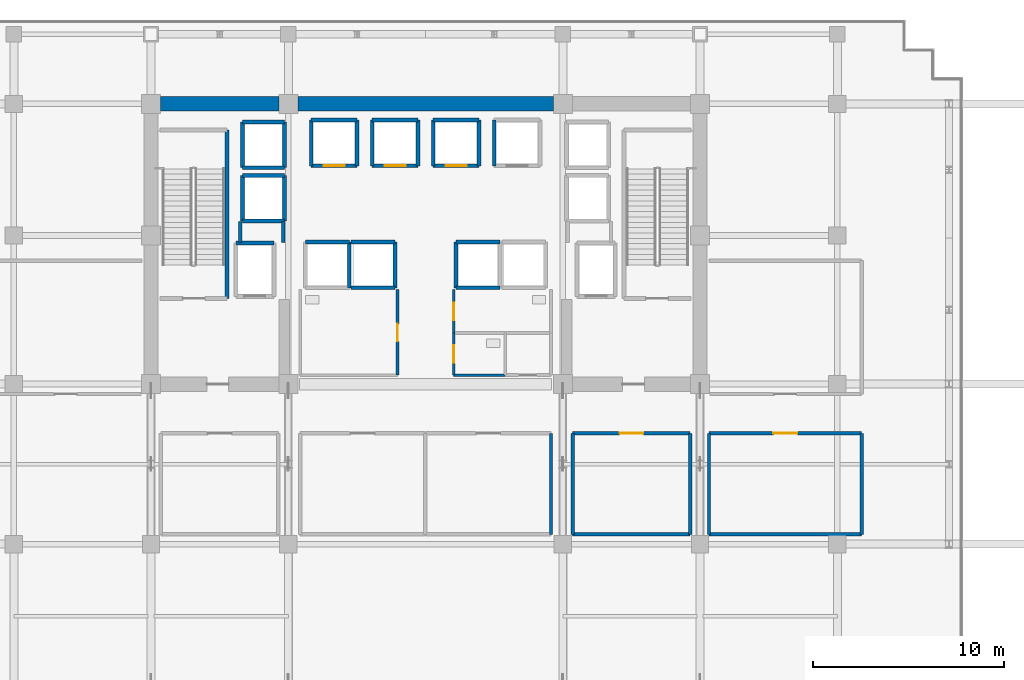
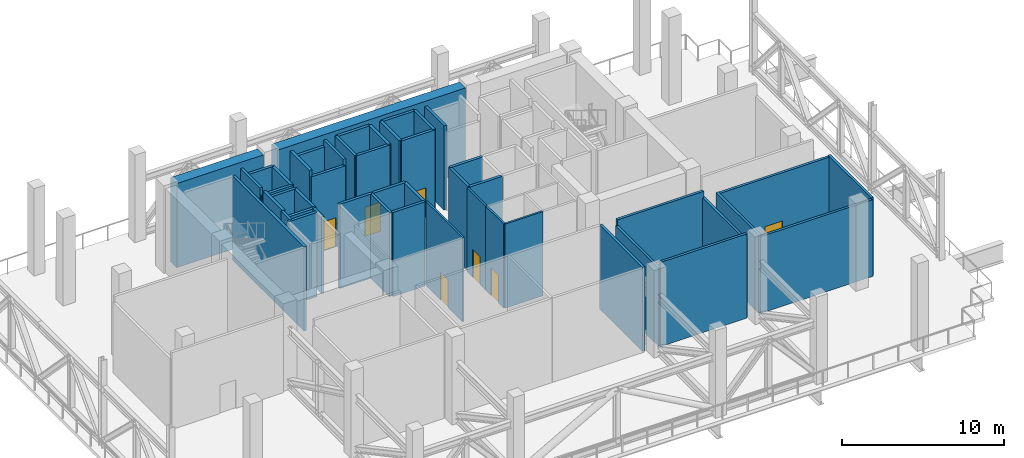
# One storey, part 8 of 15: 48 walls, 8 doors, 8 openings.
"""IFC4 building model written with IfcOpenShell, lengths in metres."""

from ifc_helpers import new_model, si_unit, direction, frame, frame_2d, origin, place, context, subcontext, project, spatial, rectangle, extrude, source, transform, mapped, material, layer, layer_set, type_object, element, fill, save


model = new_model("IFC4")

# Units and contexts
model_context = context("Model", 3, precision=1e-05, world=origin(), true_north=direction((0.0, 1.0)))
body_context = subcontext(model_context, "Body", "Model", "MODEL_VIEW")
ifc_project = project(units=[si_unit("LENGTHUNIT", "METRE"), si_unit("AREAUNIT", "SQUARE_METRE"), si_unit("VOLUMEUNIT", "CUBIC_METRE"), si_unit("PLANEANGLEUNIT", "RADIAN"), si_unit("MASSUNIT", "GRAM", prefix="KILO")], contexts=[model_context])

# Site, building, storey
site_placement = place(None, origin())
site = spatial("IfcSite", under=ifc_project, at=site_placement, CompositionType="ELEMENT")
building_placement = place(site_placement, origin())
building = spatial("IfcBuilding", under=site, at=building_placement, Name="Zarnakvel Exchange Tower", CompositionType="ELEMENT")
storey_placement = place(building_placement, frame((0.0, 0.0, 80.199951171875)))
storey = spatial("IfcBuildingStorey", under=building, at=storey_placement, Name="L22", CompositionType="ELEMENT", Elevation=80.199951171875)

# Walls
ifc_material_1 = material(Name="Concrete C60/75", Category="concrete")
ifc_layer_1 = layer(ifc_material_1, 0.75)
ifc_layer_set_1 = layer_set([ifc_layer_1], Name="Concrete C60/75")
wall_type_1 = type_object("IfcWallType", Name="CW-C3", PredefinedType="SHEAR", material=ifc_layer_set_1)
wall_1_placement = place(storey_placement, frame((-13.89990234375, 13.5, 0.0), z_axis=(0.0, 0.0, 1.0), x_axis=(1.0, 0.0, 0.0)))
element("IfcWall", 1, at=wall_1_placement, inside=storey, type_object=wall_type_1, Name="L22 Rear Core Shear Wall N1 (CW-C3)", PredefinedType="SHEAR", context=body_context, shape_type="SweptSolid", body=[
    extrude(rectangle(XDim=6.199951171875, YDim=0.75, at=frame_2d((3.10009765625, 0.0))), origin(), (0.0, 0.0, 1.0), 6.35009765625),
])
wall_2_placement = place(storey_placement, frame((-6.699951171875, 13.5, 0.0), z_axis=(0.0, 0.0, 1.0), x_axis=(1.0, 0.0, 0.0)))
element("IfcWall", 2, at=wall_2_placement, inside=storey, type_object=wall_type_1, Name="L22 Rear Core Shear Wall N2 (CW-C3)", PredefinedType="SHEAR", context=body_context, shape_type="SweptSolid", body=[
    extrude(rectangle(XDim=13.39990234375, YDim=0.75, at=frame_2d((6.699951171875, 0.0))), origin(), (0.0, 0.0, 1.0), 6.35009765625),
])
ifc_material_2 = material(Name="Fire-Rated Gypsum Stud Partition", Category="gypsum")
ifc_layer_2 = layer(ifc_material_2, 0.179931640625)
ifc_layer_set_2 = layer_set([ifc_layer_2], Name="Fire-Rated Gypsum Stud Partition")
wall_type_2 = type_object("IfcWallType", Name="PT-02", PredefinedType="PARTITIONING", material=ifc_layer_set_2)
wall_3_placement = place(storey_placement, frame((-9.72998046875, 6.239990234375, 0.0), z_axis=(0.0, 0.0, 1.0), x_axis=(0.0, 1.0, 0.0)))
element("IfcWall", 3, at=wall_3_placement, inside=storey, type_object=wall_type_2, Name="L22 Partition Wall PWALL-L22-007 (PT-02)", PredefinedType="PARTITIONING", context=body_context, shape_type="SweptSolid", body=[
    extrude(rectangle(XDim=1.090087890625, YDim=0.179931640625, at=frame_2d((0.544921875, 0.0))), origin(), (0.0, 0.0, 1.0), 6.35009765625),
])
wall_4_placement = place(storey_placement, frame((-7.469970703125, 7.330078125, 0.0), z_axis=(0.0, 0.0, 1.0), x_axis=(0.0, -1.0, 0.0)))
element("IfcWall", 4, at=wall_4_placement, inside=storey, type_object=wall_type_2, Name="L22 Partition Wall PWALL-L22-008 (PT-02)", PredefinedType="PARTITIONING", context=body_context, shape_type="SweptSolid", body=[
    extrude(rectangle(XDim=1.090087890625, YDim=0.179931640625, at=frame_2d((0.544921875, 0.0))), origin(), (0.0, 0.0, 1.0), 5.7900390625),
])
wall_5_placement = place(storey_placement, frame((6.580078125, -3.780029296875, 0.0), z_axis=(0.0, 0.0, 1.0), x_axis=(0.0, -1.0, 0.0)))
element("IfcWall", 5, at=wall_5_placement, inside=storey, type_object=wall_type_2, Name="L22 Partition Wall PWALL-L22-034 (PT-02)", PredefinedType="PARTITIONING", context=body_context, shape_type="SweptSolid", body=[
    extrude(rectangle(XDim=5.300048828125, YDim=0.179931640625, at=frame_2d((2.64990234375, 0.0))), origin(), (0.0, 0.0, 1.0), 6.35009765625),
])
wall_6_placement = place(storey_placement, frame((13.8798828125, -9.080078125, 0.0), z_axis=(0.0, 0.0, 1.0), x_axis=(-1.0, 0.0, 0.0)))
element("IfcWall", 6, at=wall_6_placement, inside=storey, type_object=wall_type_2, Name="L22 Partition Wall PWALL-L22-039 (PT-02)", PredefinedType="PARTITIONING", context=body_context, shape_type="SweptSolid", body=[
    extrude(rectangle(XDim=6.159912109375, YDim=0.179931640625, at=frame_2d((3.080078125, 0.0))), origin(), (0.0, 0.0, 1.0), 6.35009765625),
])

# Wall, opening, door
wall_7_placement = place(storey_placement, frame((7.719970703125, -3.780029296875, 0.0), z_axis=(0.0, 0.0, 1.0), x_axis=(1.0, 0.0, 0.0)))
wall_7 = element("IfcWall", 7, at=wall_7_placement, inside=storey, type_object=wall_type_2, Name="L22 Partition Wall PWALL-L22-040 (PT-02)", PredefinedType="PARTITIONING", context=body_context, shape_type="SweptSolid", body=[
    extrude(rectangle(XDim=6.159912109375, YDim=0.179931640625, at=frame_2d((3.080078125, 0.0))), origin(), (0.0, 0.0, 1.0), 6.35009765625),
])
opening_1_placement = place(wall_7_placement, frame((2.455078125, 0.0, 0.0)))
opening_1 = element("IfcOpeningElement", 8, at=opening_1_placement, cuts=wall_7, Name="Opening D-L22-14", PredefinedType="OPENING", context=body_context, shape_type="SweptSolid", body=[
    extrude(rectangle(XDim=1.25, YDim=2.14990234375, at=frame_2d((0.625, 1.074951171875))), frame((0.0, 0.099853515625, 0.0), z_axis=(0.0, -1.0, 0.0), x_axis=(1.0, 0.0, 0.0)), (0.0, 0.0, 1.0), 0.199951171875),
])
ifc_material_3 = material(Name="Painted Galvanised Steel S355", Category="steel")
door_type_1 = type_object("IfcDoorType", Name="DT-06", OperationType="NOTDEFINED", PredefinedType="DOOR", material=ifc_material_3)
shared_shape_1 = source(origin(), body_context, "Body", "SweptSolid", [
    extrude(rectangle(XDim=1.25, YDim=2.14990234375, at=frame_2d((0.625, 1.074951171875))), frame((0.0, 0.02490234375, 0.0), z_axis=(0.0, -1.0, 0.0), x_axis=(1.0, 0.0, 0.0)), (0.0, 0.0, 1.0), 0.050048828125),
])
door_1_placement = place(opening_1_placement, origin())
door_1 = element("IfcDoor", 9, at=door_1_placement, inside=storey, type_object=door_type_1, Name="L22 L22 HV Zone Substation Plant Room Door D-L22-14", OperationType="SINGLE_SWING_RIGHT", OverallHeight=2.14990234375, OverallWidth=1.25, PredefinedType="DOOR", context=body_context, shape_type="MappedRepresentation", body=[
    mapped(shared_shape_1, transform((0.0, 0.0, 0.0), x_axis=(1.0, 0.0, 0.0), y_axis=(0.0, 1.0, 0.0), z_axis=(0.0, 0.0, 1.0), scale=1.0)),
])
fill(opening_1, door_1)

# Walls
for number, where, z_axis, x_axis, name in (
    (10, (7.719970703125, -9.080078125, 0.0), (0.0, 0.0, 1.0), (0.0, 1.0, 0.0), "L22 Partition Wall PWALL-L22-041 (PT-02)"),
    (11, (13.8798828125, -3.780029296875, 0.0), (0.0, 0.0, 1.0), (0.0, -1.0, 0.0), "L22 Partition Wall PWALL-L22-042 (PT-02)"),
):
    element("IfcWall", number, at=place(storey_placement, frame(where, z_axis=z_axis, x_axis=x_axis)), inside=storey, type_object=wall_type_2, Name=name, PredefinedType="PARTITIONING", context=body_context, shape_type="SweptSolid", body=[
        extrude(rectangle(XDim=5.300048828125, YDim=0.179931640625, at=frame_2d((2.64990234375, 0.0))), origin(), (0.0, 0.0, 1.0), 5.89013671875),
    ])
wall_8_placement = place(storey_placement, frame((22.8798828125, -9.080078125, 0.0), z_axis=(0.0, 0.0, 1.0), x_axis=(-1.0, 0.0, 0.0)))
element("IfcWall", 12, at=wall_8_placement, inside=storey, type_object=wall_type_2, Name="L22 Partition Wall PWALL-L22-043 (PT-02)", PredefinedType="PARTITIONING", context=body_context, shape_type="SweptSolid", body=[
    extrude(rectangle(XDim=8.009765625, YDim=0.179931640625, at=frame_2d((4.0048828125, 0.0))), origin(), (0.0, 0.0, 1.0), 5.7900390625),
])

# Wall, opening, door
wall_9_placement = place(storey_placement, frame((14.8701171875, -3.780029296875, 0.0), z_axis=(0.0, 0.0, 1.0), x_axis=(1.0, 0.0, 0.0)))
wall_9 = element("IfcWall", 13, at=wall_9_placement, inside=storey, type_object=wall_type_2, Name="L22 Partition Wall PWALL-L22-044 (PT-02)", PredefinedType="PARTITIONING", context=body_context, shape_type="SweptSolid", body=[
    extrude(rectangle(XDim=8.009765625, YDim=0.179931640625, at=frame_2d((4.0048828125, 0.0))), origin(), (0.0, 0.0, 1.0), 5.7900390625),
])
opening_2_placement = place(wall_9_placement, frame((3.3798828125, 0.0, 0.0)))
opening_2 = element("IfcOpeningElement", 14, at=opening_2_placement, cuts=wall_9, Name="Opening D-L22-15", PredefinedType="OPENING", context=body_context, shape_type="SweptSolid", body=[
    extrude(rectangle(XDim=1.25, YDim=2.14990234375, at=frame_2d((0.625, 1.074951171875))), frame((0.0, 0.099853515625, 0.0), z_axis=(0.0, -1.0, 0.0), x_axis=(1.0, 0.0, 0.0)), (0.0, 0.0, 1.0), 0.199951171875),
])
door_2_placement = place(opening_2_placement, origin())
door_2 = element("IfcDoor", 15, at=door_2_placement, inside=storey, type_object=door_type_1, Name="L22 L22 BMS and Smoke-Extract Plant Room Door D-L22-15", OperationType="SINGLE_SWING_LEFT", OverallHeight=2.14990234375, OverallWidth=1.25, PredefinedType="DOOR", context=body_context, shape_type="MappedRepresentation", body=[
    mapped(shared_shape_1, transform((0.0, 0.0, 0.0), x_axis=(1.0, 0.0, 0.0), y_axis=(0.0, 1.0, 0.0), z_axis=(0.0, 0.0, 1.0), scale=1.0)),
])
fill(opening_2, door_2)

# Walls
for number, where, z_axis, x_axis, name in (
    (16, (14.8701171875, -9.080078125, 0.0), (0.0, 0.0, 1.0), (0.0, 1.0, 0.0), "L22 Partition Wall PWALL-L22-045 (PT-02)"),
    (17, (22.8798828125, -3.780029296875, 0.0), (0.0, 0.0, 1.0), (0.0, -1.0, 0.0), "L22 Partition Wall PWALL-L22-046 (PT-02)"),
):
    element("IfcWall", number, at=place(storey_placement, frame(where, z_axis=z_axis, x_axis=x_axis)), inside=storey, type_object=wall_type_2, Name=name, PredefinedType="PARTITIONING", context=body_context, shape_type="SweptSolid", body=[
        extrude(rectangle(XDim=5.300048828125, YDim=0.179931640625, at=frame_2d((2.64990234375, 0.0))), origin(), (0.0, 0.0, 1.0), 5.89013671875),
    ])

# Wall, opening, door
ifc_material_4 = material(Name="Moisture-Resistant Tile-Faced Partition", Category="gypsum")
ifc_layer_3 = layer(ifc_material_4, 0.135009765625)
ifc_layer_set_3 = layer_set([ifc_layer_3], Name="Moisture-Resistant Tile-Faced Partition")
wall_type_3 = type_object("IfcWallType", Name="PT-03", PredefinedType="PARTITIONING", material=ifc_layer_set_3)
wall_10_placement = place(storey_placement, frame((-1.469970703125, 3.760009765625, 0.0), z_axis=(0.0, 0.0, 1.0), x_axis=(0.0, -1.0, 0.0)))
wall_10 = element("IfcWall", 18, at=wall_10_placement, inside=storey, type_object=wall_type_3, Name="L22 Partition Wall PWALL-L22-013 (PT-03)", PredefinedType="PARTITIONING", context=body_context, shape_type="SweptSolid", body=[
    extrude(rectangle(XDim=4.489990234375, YDim=0.135009765625, at=frame_2d((2.2451171875, 0.0))), origin(), (0.0, 0.0, 1.0), 6.35009765625),
])
opening_3_placement = place(wall_10_placement, frame((1.800048828125, 0.0, 0.0)))
opening_3 = element("IfcOpeningElement", 19, at=opening_3_placement, cuts=wall_10, Name="Opening D-L22-05", PredefinedType="OPENING", context=body_context, shape_type="SweptSolid", body=[
    extrude(rectangle(XDim=0.919921875, YDim=2.10009765625, at=frame_2d((0.4599609375, 1.050048828125))), frame((0.0, 0.077392578125, 0.0), z_axis=(0.0, -1.0, 0.0), x_axis=(1.0, 0.0, 0.0)), (0.0, 0.0, 1.0), 0.155029296875),
])
ifc_material_5 = material(Name="Moisture-Resistant Laminate Timber", Category="wood")
door_type_2 = type_object("IfcDoorType", Name="DT-07", OperationType="NOTDEFINED", PredefinedType="DOOR", material=ifc_material_5)
shared_shape_2 = source(origin(), body_context, "Body", "SweptSolid", [
    extrude(rectangle(XDim=0.919921875, YDim=2.10009765625, at=frame_2d((0.4599609375, 1.050048828125))), frame((0.0, 0.02490234375, 0.0), z_axis=(0.0, -1.0, 0.0), x_axis=(1.0, 0.0, 0.0)), (0.0, 0.0, 1.0), 0.050048828125),
])
door_3_placement = place(opening_3_placement, origin())
door_3 = element("IfcDoor", 20, at=door_3_placement, inside=storey, type_object=door_type_2, Name="L22 Male Toilet Door D-L22-05", OperationType="SINGLE_SWING_LEFT", OverallHeight=2.10009765625, OverallWidth=0.919921875, PredefinedType="DOOR", context=body_context, shape_type="MappedRepresentation", body=[
    mapped(shared_shape_2, transform((0.0, 0.0, 0.0), x_axis=(1.0, 0.0, 0.0), y_axis=(0.0, 1.0, 0.0), z_axis=(0.0, 0.0, 1.0), scale=1.0)),
])
fill(opening_3, door_3)

wall_11_placement = place(storey_placement, frame((1.469970703125, 1.47998046875, 0.0), z_axis=(0.0, 0.0, 1.0), x_axis=(0.0, 1.0, 0.0)))
wall_11 = element("IfcWall", 21, at=wall_11_placement, inside=storey, type_object=wall_type_3, Name="L22 Partition Wall PWALL-L22-015 (PT-03)", PredefinedType="PARTITIONING", context=body_context, shape_type="SweptSolid", body=[
    extrude(rectangle(XDim=2.280029296875, YDim=0.135009765625, at=frame_2d((1.14013671875, 0.0))), origin(), (0.0, 0.0, 1.0), 6.35009765625),
])
opening_4_placement = place(wall_11_placement, frame((0.679931640625, 0.0, 0.0)))
opening_4 = element("IfcOpeningElement", 22, at=opening_4_placement, cuts=wall_11, Name="Opening D-L22-06", PredefinedType="OPENING", context=body_context, shape_type="SweptSolid", body=[
    extrude(rectangle(XDim=0.919921875, YDim=2.10009765625, at=frame_2d((0.4599609375, 1.050048828125))), frame((0.0, 0.077392578125, 0.0), z_axis=(0.0, -1.0, 0.0), x_axis=(1.0, 0.0, 0.0)), (0.0, 0.0, 1.0), 0.155029296875),
])
door_4_placement = place(opening_4_placement, origin())
door_4 = element("IfcDoor", 23, at=door_4_placement, inside=storey, type_object=door_type_2, Name="L22 Female Toilet Door D-L22-06", OperationType="SINGLE_SWING_RIGHT", OverallHeight=2.10009765625, OverallWidth=0.919921875, PredefinedType="DOOR", context=body_context, shape_type="MappedRepresentation", body=[
    mapped(shared_shape_2, transform((0.0, 0.0, 0.0), x_axis=(1.0, 0.0, 0.0), y_axis=(0.0, 1.0, 0.0), z_axis=(0.0, 0.0, 1.0), scale=1.0)),
])
fill(opening_4, door_4)

# Wall
wall_12_placement = place(storey_placement, frame((4.179931640625, -0.72998046875, 0.0), z_axis=(0.0, 0.0, 1.0), x_axis=(-1.0, 0.0, 0.0)))
element("IfcWall", 24, at=wall_12_placement, inside=storey, type_object=wall_type_3, Name="L22 Partition Wall PWALL-L22-017 (PT-03)", PredefinedType="PARTITIONING", context=body_context, shape_type="SweptSolid", body=[
    extrude(rectangle(XDim=2.7099609375, YDim=0.135009765625, at=frame_2d((1.35498046875, 0.0))), origin(), (0.0, 0.0, 1.0), 6.35009765625),
])

# Wall, opening, door
wall_13_placement = place(storey_placement, frame((1.469970703125, -0.72998046875, 0.0), z_axis=(0.0, 0.0, 1.0), x_axis=(0.0, 1.0, 0.0)))
wall_13 = element("IfcWall", 25, at=wall_13_placement, inside=storey, type_object=wall_type_3, Name="L22 Partition Wall PWALL-L22-018 (PT-03)", PredefinedType="PARTITIONING", context=body_context, shape_type="SweptSolid", body=[
    extrude(rectangle(XDim=2.2099609375, YDim=0.135009765625, at=frame_2d((1.10498046875, 0.0))), origin(), (0.0, 0.0, 1.0), 6.35009765625),
])
opening_5_placement = place(wall_13_placement, frame((0.64990234375, 0.0, 0.0)))
opening_5 = element("IfcOpeningElement", 26, at=opening_5_placement, cuts=wall_13, Name="Opening D-L22-07", PredefinedType="OPENING", context=body_context, shape_type="SweptSolid", body=[
    extrude(rectangle(XDim=0.919921875, YDim=2.10009765625, at=frame_2d((0.4599609375, 1.050048828125))), frame((0.0, 0.077392578125, 0.0), z_axis=(0.0, -1.0, 0.0), x_axis=(1.0, 0.0, 0.0)), (0.0, 0.0, 1.0), 0.155029296875),
])
door_5_placement = place(opening_5_placement, origin())
door_5 = element("IfcDoor", 27, at=door_5_placement, inside=storey, type_object=door_type_2, Name="L22 Accessible Toilet Door D-L22-07", OperationType="SINGLE_SWING_LEFT", OverallHeight=2.10009765625, OverallWidth=0.919921875, PredefinedType="DOOR", context=body_context, shape_type="MappedRepresentation", body=[
    mapped(shared_shape_2, transform((0.0, 0.0, 0.0), x_axis=(1.0, 0.0, 0.0), y_axis=(0.0, 1.0, 0.0), z_axis=(0.0, 0.0, 1.0), scale=1.0)),
])
fill(opening_5, door_5)

# Wall
ifc_material_6 = material(Name="Concrete C40/50", Category="concrete")
ifc_layer_4 = layer(ifc_material_6, 0.199951171875)
ifc_layer_set_4 = layer_set([ifc_layer_4], Name="Concrete C40/50")
wall_type_4 = type_object("IfcWallType", Name="SW-01", PredefinedType="SOLIDWALL", material=ifc_layer_set_4)
wall_14_placement = place(storey_placement, frame((-9.949951171875, 6.199951171875, 0.0), z_axis=(0.0, 0.0, 1.0), x_axis=(1.0, 0.0, 0.0)))
element("IfcWall", 28, at=wall_14_placement, inside=storey, type_object=wall_type_4, Name="L22 FL-01 Hoistway Wall North", PredefinedType="SOLIDWALL", context=body_context, shape_type="SweptSolid", body=[
    extrude(rectangle(XDim=2.0, YDim=0.199951171875, at=frame_2d((1.0, 0.0))), origin(), (0.0, 0.0, 1.0), 6.35009765625),
])

# Wall, opening, door
wall_15_placement = place(storey_placement, frame((-3.60009765625, 10.25, 0.0), z_axis=(0.0, 0.0, 1.0), x_axis=(-1.0, 0.0, 0.0)))
wall_15 = element("IfcWall", 29, at=wall_15_placement, inside=storey, type_object=wall_type_4, Name="L22 PL-01 Hoistway Wall South", PredefinedType="SOLIDWALL", context=body_context, shape_type="SweptSolid", body=[
    extrude(rectangle(XDim=2.39990234375, YDim=0.199951171875, at=frame_2d((1.199951171875, 0.0))), origin(), (0.0, 0.0, 1.0), 5.89013671875),
])
opening_6_placement = place(wall_15_placement, frame((0.64990234375, 0.0, 0.0)))
opening_6 = element("IfcOpeningElement", 30, at=opening_6_placement, cuts=wall_15, Name="Opening LD-PL-01-L22", PredefinedType="OPENING", context=body_context, shape_type="SweptSolid", body=[
    extrude(rectangle(XDim=1.10009765625, YDim=2.199951171875, at=frame_2d((0.550048828125, 1.10009765625))), frame((0.0, 0.10986328125, 0.0), z_axis=(0.0, -1.0, 0.0), x_axis=(1.0, 0.0, 0.0)), (0.0, 0.0, 1.0), 0.219970703125),
])
ifc_material_7 = material(Name="Architectural Bronze Anodised Aluminium", Category="aluminium")
door_type_3 = type_object("IfcDoorType", Name="LDT-02", OperationType="NOTDEFINED", PredefinedType="DOOR", material=ifc_material_7)
shared_shape_3 = source(origin(), body_context, "Body", "SweptSolid", [
    extrude(rectangle(XDim=1.10009765625, YDim=2.199951171875, at=frame_2d((0.550048828125, 1.10009765625))), frame((0.0, 0.02490234375, 0.0), z_axis=(0.0, -1.0, 0.0), x_axis=(1.0, 0.0, 0.0)), (0.0, 0.0, 1.0), 0.050048828125),
])
door_6_placement = place(opening_6_placement, origin())
door_6 = element("IfcDoor", 31, at=door_6_placement, inside=storey, type_object=door_type_3, Name="L22 PL-01 Lift Landing Door LD-PL-01-L22", OperationType="DOUBLE_DOOR_SLIDING", OverallHeight=2.199951171875, OverallWidth=1.10009765625, PredefinedType="DOOR", context=body_context, shape_type="MappedRepresentation", body=[
    mapped(shared_shape_3, transform((0.0, 0.0, 0.0), x_axis=(1.0, 0.0, 0.0), y_axis=(0.0, 1.0, 0.0), z_axis=(0.0, 0.0, 1.0), scale=1.0)),
])
fill(opening_6, door_6)

# Walls
wall_16_placement = place(storey_placement, frame((-6.0, 12.64990234375, 0.0), z_axis=(0.0, 0.0, 1.0), x_axis=(1.0, 0.0, 0.0)))
element("IfcWall", 32, at=wall_16_placement, inside=storey, type_object=wall_type_4, Name="L22 PL-01 Hoistway Wall North", PredefinedType="SOLIDWALL", context=body_context, shape_type="SweptSolid", body=[
    extrude(rectangle(XDim=2.39990234375, YDim=0.199951171875, at=frame_2d((1.199951171875, 0.0))), origin(), (0.0, 0.0, 1.0), 5.89013671875),
])
for number, where, z_axis, x_axis, name in (
    (33, (-6.0, 10.25, 0.0), (0.0, 0.0, 1.0), (0.0, 1.0, 0.0), "L22 PL-01 Hoistway Wall West"),
    (34, (-3.60009765625, 12.64990234375, 0.0), (0.0, 0.0, 1.0), (0.0, -1.0, 0.0), "L22 PL-01 Hoistway Wall East"),
):
    element("IfcWall", number, at=place(storey_placement, frame(where, z_axis=z_axis, x_axis=x_axis)), inside=storey, type_object=wall_type_4, Name=name, PredefinedType="SOLIDWALL", context=body_context, shape_type="SweptSolid", body=[
        extrude(rectangle(XDim=2.39990234375, YDim=0.199951171875, at=frame_2d((1.199951171875, 0.0))), origin(), (0.0, 0.0, 1.0), 6.35009765625),
    ])

# Wall, opening, door
wall_17_placement = place(storey_placement, frame((-0.39990234375, 10.25, 0.0), z_axis=(0.0, 0.0, 1.0), x_axis=(-1.0, 0.0, 0.0)))
wall_17 = element("IfcWall", 35, at=wall_17_placement, inside=storey, type_object=wall_type_4, Name="L22 PL-02 Hoistway Wall South", PredefinedType="SOLIDWALL", context=body_context, shape_type="SweptSolid", body=[
    extrude(rectangle(XDim=2.400146484375, YDim=0.199951171875, at=frame_2d((1.2001953125, 0.0))), origin(), (0.0, 0.0, 1.0), 6.35009765625),
])
opening_7_placement = place(wall_17_placement, frame((0.64990234375, 0.0, 0.0)))
opening_7 = element("IfcOpeningElement", 36, at=opening_7_placement, cuts=wall_17, Name="Opening LD-PL-02-L22", PredefinedType="OPENING", context=body_context, shape_type="SweptSolid", body=[
    extrude(rectangle(XDim=1.10009765625, YDim=2.199951171875, at=frame_2d((0.550048828125, 1.10009765625))), frame((0.0, 0.10986328125, 0.0), z_axis=(0.0, -1.0, 0.0), x_axis=(1.0, 0.0, 0.0)), (0.0, 0.0, 1.0), 0.219970703125),
])
door_7_placement = place(opening_7_placement, origin())
door_7 = element("IfcDoor", 37, at=door_7_placement, inside=storey, type_object=door_type_3, Name="L22 PL-02 Lift Landing Door LD-PL-02-L22", OperationType="DOUBLE_DOOR_SLIDING", OverallHeight=2.199951171875, OverallWidth=1.10009765625, PredefinedType="DOOR", context=body_context, shape_type="MappedRepresentation", body=[
    mapped(shared_shape_3, transform((0.0, 0.0, 0.0), x_axis=(1.0, 0.0, 0.0), y_axis=(0.0, 1.0, 0.0), z_axis=(0.0, 0.0, 1.0), scale=1.0)),
])
fill(opening_7, door_7)

# Walls
wall_18_placement = place(storey_placement, frame((-2.800048828125, 12.64990234375, 0.0), z_axis=(0.0, 0.0, 1.0), x_axis=(1.0, 0.0, 0.0)))
element("IfcWall", 38, at=wall_18_placement, inside=storey, type_object=wall_type_4, Name="L22 PL-02 Hoistway Wall North", PredefinedType="SOLIDWALL", context=body_context, shape_type="SweptSolid", body=[
    extrude(rectangle(XDim=2.400146484375, YDim=0.199951171875, at=frame_2d((1.2001953125, 0.0))), origin(), (0.0, 0.0, 1.0), 6.35009765625),
])
for number, where, z_axis, x_axis, name in (
    (39, (-2.800048828125, 10.25, 0.0), (0.0, 0.0, 1.0), (0.0, 1.0, 0.0), "L22 PL-02 Hoistway Wall West"),
    (40, (-0.39990234375, 12.64990234375, 0.0), (0.0, 0.0, 1.0), (0.0, -1.0, 0.0), "L22 PL-02 Hoistway Wall East"),
):
    element("IfcWall", number, at=place(storey_placement, frame(where, z_axis=z_axis, x_axis=x_axis)), inside=storey, type_object=wall_type_4, Name=name, PredefinedType="SOLIDWALL", context=body_context, shape_type="SweptSolid", body=[
        extrude(rectangle(XDim=2.39990234375, YDim=0.199951171875, at=frame_2d((1.199951171875, 0.0))), origin(), (0.0, 0.0, 1.0), 6.35009765625),
    ])

# Wall, opening, door
wall_19_placement = place(storey_placement, frame((2.800048828125, 10.25, 0.0), z_axis=(0.0, 0.0, 1.0), x_axis=(-1.0, 0.0, 0.0)))
wall_19 = element("IfcWall", 41, at=wall_19_placement, inside=storey, type_object=wall_type_4, Name="L22 PL-03 Hoistway Wall South", PredefinedType="SOLIDWALL", context=body_context, shape_type="SweptSolid", body=[
    extrude(rectangle(XDim=2.400146484375, YDim=0.199951171875, at=frame_2d((1.2001953125, 0.0))), origin(), (0.0, 0.0, 1.0), 6.35009765625),
])
opening_8_placement = place(wall_19_placement, frame((0.64990234375, 0.0, 0.0)))
opening_8 = element("IfcOpeningElement", 42, at=opening_8_placement, cuts=wall_19, Name="Opening LD-PL-03-L22", PredefinedType="OPENING", context=body_context, shape_type="SweptSolid", body=[
    extrude(rectangle(XDim=1.10009765625, YDim=2.199951171875, at=frame_2d((0.550048828125, 1.10009765625))), frame((0.0, 0.10986328125, 0.0), z_axis=(0.0, -1.0, 0.0), x_axis=(1.0, 0.0, 0.0)), (0.0, 0.0, 1.0), 0.219970703125),
])
door_8_placement = place(opening_8_placement, origin())
door_8 = element("IfcDoor", 43, at=door_8_placement, inside=storey, type_object=door_type_3, Name="L22 PL-03 Lift Landing Door LD-PL-03-L22", OperationType="DOUBLE_DOOR_SLIDING", OverallHeight=2.199951171875, OverallWidth=1.10009765625, PredefinedType="DOOR", context=body_context, shape_type="MappedRepresentation", body=[
    mapped(shared_shape_3, transform((0.0, 0.0, 0.0), x_axis=(1.0, 0.0, 0.0), y_axis=(0.0, 1.0, 0.0), z_axis=(0.0, 0.0, 1.0), scale=1.0)),
])
fill(opening_8, door_8)

# Walls
wall_20_placement = place(storey_placement, frame((0.39990234375, 12.64990234375, 0.0), z_axis=(0.0, 0.0, 1.0), x_axis=(1.0, 0.0, 0.0)))
element("IfcWall", 44, at=wall_20_placement, inside=storey, type_object=wall_type_4, Name="L22 PL-03 Hoistway Wall North", PredefinedType="SOLIDWALL", context=body_context, shape_type="SweptSolid", body=[
    extrude(rectangle(XDim=2.400146484375, YDim=0.199951171875, at=frame_2d((1.2001953125, 0.0))), origin(), (0.0, 0.0, 1.0), 6.35009765625),
])
for number, where, z_axis, x_axis, name in (
    (45, (0.39990234375, 10.25, 0.0), (0.0, 0.0, 1.0), (0.0, 1.0, 0.0), "L22 PL-03 Hoistway Wall West"),
    (46, (2.800048828125, 12.64990234375, 0.0), (0.0, 0.0, 1.0), (0.0, -1.0, 0.0), "L22 PL-03 Hoistway Wall East"),
    (47, (3.60009765625, 10.25, 0.0), (0.0, 0.0, 1.0), (0.0, 1.0, 0.0), "L22 PL-04 Hoistway Wall West"),
):
    element("IfcWall", number, at=place(storey_placement, frame(where, z_axis=z_axis, x_axis=x_axis)), inside=storey, type_object=wall_type_4, Name=name, PredefinedType="SOLIDWALL", context=body_context, shape_type="SweptSolid", body=[
        extrude(rectangle(XDim=2.39990234375, YDim=0.199951171875, at=frame_2d((1.199951171875, 0.0))), origin(), (0.0, 0.0, 1.0), 6.35009765625),
    ])
wall_21_placement = place(storey_placement, frame((-6.300048828125, 6.25, 0.0), z_axis=(0.0, 0.0, 1.0), x_axis=(1.0, 0.0, 0.0)))
element("IfcWall", 48, at=wall_21_placement, inside=storey, type_object=wall_type_4, Name="L22 PL-05 Hoistway Wall North", PredefinedType="SOLIDWALL", context=body_context, shape_type="SweptSolid", body=[
    extrude(rectangle(XDim=2.300048828125, YDim=0.199951171875, at=frame_2d((1.14990234375, 0.0))), origin(), (0.0, 0.0, 1.0), 6.35009765625),
])
wall_22_placement = place(storey_placement, frame((-4.0, 6.25, 0.0), z_axis=(0.0, 0.0, 1.0), x_axis=(0.0, -1.0, 0.0)))
element("IfcWall", 49, at=wall_22_placement, inside=storey, type_object=wall_type_4, Name="L22 PL-05 Hoistway Wall East", PredefinedType="SOLIDWALL", context=body_context, shape_type="SweptSolid", body=[
    extrude(rectangle(XDim=2.39990234375, YDim=0.199951171875, at=frame_2d((1.199951171875, 0.0))), origin(), (0.0, 0.0, 1.0), 6.35009765625),
])
for number, where, z_axis, x_axis, name in (
    (50, (-1.60009765625, 3.85009765625, 0.0), (0.0, 0.0, 1.0), (-1.0, 0.0, 0.0), "L22 PL-06 Hoistway Wall South"),
    (51, (-3.89990234375, 6.25, 0.0), (0.0, 0.0, 1.0), (1.0, 0.0, 0.0), "L22 PL-06 Hoistway Wall North"),
):
    element("IfcWall", number, at=place(storey_placement, frame(where, z_axis=z_axis, x_axis=x_axis)), inside=storey, type_object=wall_type_4, Name=name, PredefinedType="SOLIDWALL", context=body_context, shape_type="SweptSolid", body=[
        extrude(rectangle(XDim=2.2998046875, YDim=0.199951171875, at=frame_2d((1.14990234375, 0.0))), origin(), (0.0, 0.0, 1.0), 6.35009765625),
    ])
wall_23_placement = place(storey_placement, frame((-1.60009765625, 6.25, 0.0), z_axis=(0.0, 0.0, 1.0), x_axis=(0.0, -1.0, 0.0)))
element("IfcWall", 52, at=wall_23_placement, inside=storey, type_object=wall_type_4, Name="L22 PL-06 Hoistway Wall East", PredefinedType="SOLIDWALL", context=body_context, shape_type="SweptSolid", body=[
    extrude(rectangle(XDim=2.39990234375, YDim=0.199951171875, at=frame_2d((1.199951171875, 0.0))), origin(), (0.0, 0.0, 1.0), 6.35009765625),
])
for number, where, z_axis, x_axis, name in (
    (53, (3.89990234375, 3.85009765625, 0.0), (0.0, 0.0, 1.0), (-1.0, 0.0, 0.0), "L22 PL-07 Hoistway Wall South"),
    (54, (1.60009765625, 6.25, 0.0), (0.0, 0.0, 1.0), (1.0, 0.0, 0.0), "L22 PL-07 Hoistway Wall North"),
):
    element("IfcWall", number, at=place(storey_placement, frame(where, z_axis=z_axis, x_axis=x_axis)), inside=storey, type_object=wall_type_4, Name=name, PredefinedType="SOLIDWALL", context=body_context, shape_type="SweptSolid", body=[
        extrude(rectangle(XDim=2.2998046875, YDim=0.199951171875, at=frame_2d((1.14990234375, 0.0))), origin(), (0.0, 0.0, 1.0), 6.35009765625),
    ])
wall_24_placement = place(storey_placement, frame((1.60009765625, 3.85009765625, 0.0), z_axis=(0.0, 0.0, 1.0), x_axis=(0.0, 1.0, 0.0)))
element("IfcWall", 55, at=wall_24_placement, inside=storey, type_object=wall_type_4, Name="L22 PL-07 Hoistway Wall West", PredefinedType="SOLIDWALL", context=body_context, shape_type="SweptSolid", body=[
    extrude(rectangle(XDim=2.39990234375, YDim=0.199951171875, at=frame_2d((1.199951171875, 0.0))), origin(), (0.0, 0.0, 1.0), 6.35009765625),
])
for number, where, z_axis, x_axis, name in (
    (56, (-7.39990234375, 7.35009765625, 0.0), (0.0, 0.0, 1.0), (-1.0, 0.0, 0.0), "L22 PL-09 Hoistway Wall South"),
    (57, (-9.60009765625, 9.75, 0.0), (0.0, 0.0, 1.0), (1.0, 0.0, 0.0), "L22 PL-09 Hoistway Wall North"),
):
    element("IfcWall", number, at=place(storey_placement, frame(where, z_axis=z_axis, x_axis=x_axis)), inside=storey, type_object=wall_type_4, Name=name, PredefinedType="SOLIDWALL", context=body_context, shape_type="SweptSolid", body=[
        extrude(rectangle(XDim=2.2001953125, YDim=0.199951171875, at=frame_2d((1.10009765625, 0.0))), origin(), (0.0, 0.0, 1.0), 5.7900390625),
    ])
wall_25_placement = place(storey_placement, frame((-9.60009765625, 7.35009765625, 0.0), z_axis=(0.0, 0.0, 1.0), x_axis=(0.0, 1.0, 0.0)))
element("IfcWall", 58, at=wall_25_placement, inside=storey, type_object=wall_type_4, Name="L22 PL-09 Hoistway Wall West", PredefinedType="SOLIDWALL", context=body_context, shape_type="SweptSolid", body=[
    extrude(rectangle(XDim=2.39990234375, YDim=0.199951171875, at=frame_2d((1.199951171875, 0.0))), origin(), (0.0, 0.0, 1.0), 6.35009765625),
])
wall_26_placement = place(storey_placement, frame((-7.39990234375, 9.75, 0.0), z_axis=(0.0, 0.0, 1.0), x_axis=(0.0, -1.0, 0.0)))
element("IfcWall", 59, at=wall_26_placement, inside=storey, type_object=wall_type_4, Name="L22 PL-09 Hoistway Wall East", PredefinedType="SOLIDWALL", context=body_context, shape_type="SweptSolid", body=[
    extrude(rectangle(XDim=2.39990234375, YDim=0.199951171875, at=frame_2d((1.199951171875, 0.0))), origin(), (0.0, 0.0, 1.0), 5.7900390625),
])
for number, where, z_axis, x_axis, name in (
    (60, (-7.39990234375, 10.14990234375, 0.0), (0.0, 0.0, 1.0), (-1.0, 0.0, 0.0), "L22 PL-10 Hoistway Wall South"),
    (61, (-9.60009765625, 12.550048828125, 0.0), (0.0, 0.0, 1.0), (1.0, 0.0, 0.0), "L22 PL-10 Hoistway Wall North"),
):
    element("IfcWall", number, at=place(storey_placement, frame(where, z_axis=z_axis, x_axis=x_axis)), inside=storey, type_object=wall_type_4, Name=name, PredefinedType="SOLIDWALL", context=body_context, shape_type="SweptSolid", body=[
        extrude(rectangle(XDim=2.2001953125, YDim=0.199951171875, at=frame_2d((1.10009765625, 0.0))), origin(), (0.0, 0.0, 1.0), 5.7900390625),
    ])
wall_27_placement = place(storey_placement, frame((-9.60009765625, 10.14990234375, 0.0), z_axis=(0.0, 0.0, 1.0), x_axis=(0.0, 1.0, 0.0)))
element("IfcWall", 62, at=wall_27_placement, inside=storey, type_object=wall_type_4, Name="L22 PL-10 Hoistway Wall West", PredefinedType="SOLIDWALL", context=body_context, shape_type="SweptSolid", body=[
    extrude(rectangle(XDim=2.400146484375, YDim=0.199951171875, at=frame_2d((1.2001953125, 0.0))), origin(), (0.0, 0.0, 1.0), 6.35009765625),
])
wall_28_placement = place(storey_placement, frame((-7.39990234375, 12.550048828125, 0.0), z_axis=(0.0, 0.0, 1.0), x_axis=(0.0, -1.0, 0.0)))
element("IfcWall", 63, at=wall_28_placement, inside=storey, type_object=wall_type_4, Name="L22 PL-10 Hoistway Wall East", PredefinedType="SOLIDWALL", context=body_context, shape_type="SweptSolid", body=[
    extrude(rectangle(XDim=2.400146484375, YDim=0.199951171875, at=frame_2d((1.2001953125, 0.0))), origin(), (0.0, 0.0, 1.0), 5.7900390625),
])
ifc_layer_5 = layer(ifc_material_6, 0.199951171875)
ifc_layer_set_5 = layer_set([ifc_layer_5], Name="Concrete C40/50")
wall_type_5 = type_object("IfcWallType", Name="SW-02", PredefinedType="SOLIDWALL", material=ifc_layer_set_5)
wall_29_placement = place(storey_placement, frame((-10.409912109375, 12.1298828125, 0.0), z_axis=(0.0, 0.0, 1.0), x_axis=(0.0, -1.0, 0.0)))
element("IfcWall", 64, at=wall_29_placement, inside=storey, type_object=wall_type_5, Name="L22 Stairwell Core Wall PWALL-L22-003 (SW-02)", PredefinedType="SOLIDWALL", context=body_context, shape_type="SweptSolid", body=[
    extrude(rectangle(XDim=8.83984375, YDim=0.199951171875, at=frame_2d((4.419921875, 0.0))), origin(), (0.0, 0.0, 1.0), 6.35009765625),
])

save(model, "model.ifc")
